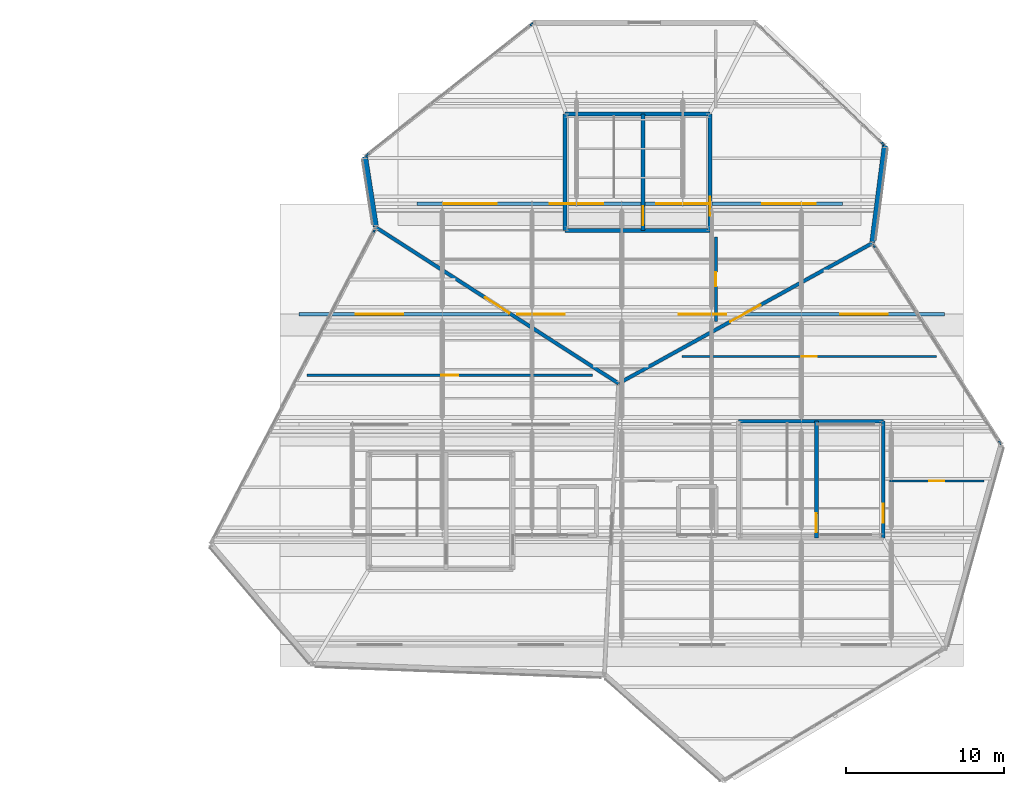
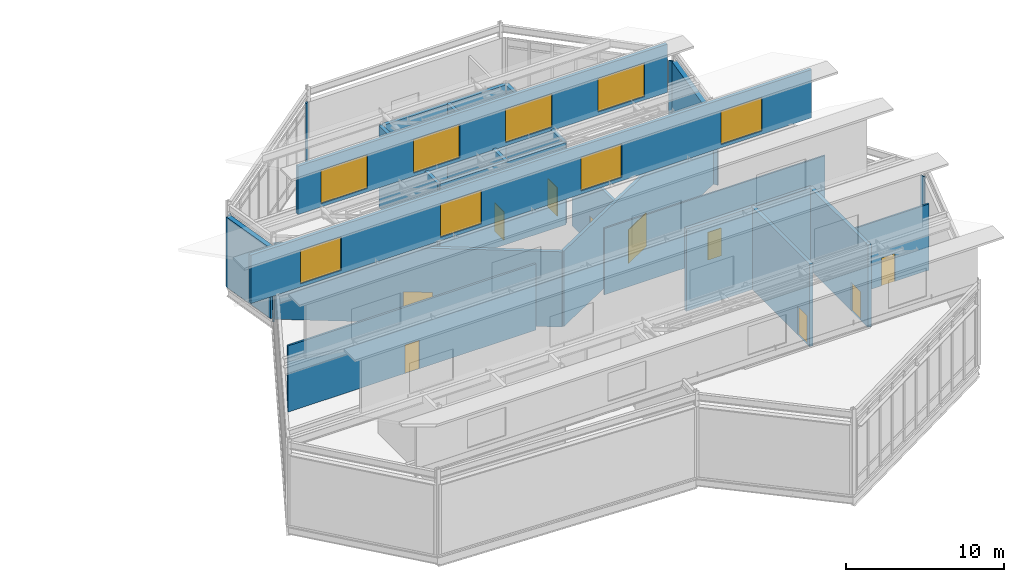
# One storey, part 53 of 55: 24 walls, 10 doors, 8 windows, 18 openings.
"""IFC4 building model written with IfcOpenShell, lengths in metres."""

from ifc_helpers import new_model, si_unit, direction, frame, frame_2d, origin, place, context, subcontext, project, spatial, rectangle, extrude, material, layer, layer_set, type_object, element, fill, save


model = new_model("IFC4")

# Units and contexts
model_context = context("Model", 3, precision=1e-05, world=origin(), true_north=direction((0.0, 1.0)))
body_context = subcontext(model_context, "Body", "Model", "MODEL_VIEW")
ifc_project = project(units=[si_unit("LENGTHUNIT", "METRE"), si_unit("AREAUNIT", "SQUARE_METRE"), si_unit("VOLUMEUNIT", "CUBIC_METRE"), si_unit("PLANEANGLEUNIT", "RADIAN"), si_unit("MASSUNIT", "GRAM", prefix="KILO")], contexts=[model_context])

# Site, building, storey
site_placement = place(None, origin())
site = spatial("IfcSite", under=ifc_project, at=site_placement, CompositionType="ELEMENT")
building_placement = place(site_placement, origin())
building = spatial("IfcBuilding", under=site, at=building_placement, Name="Tameran Prism Museum", CompositionType="ELEMENT")
storey_placement = place(building_placement, frame((0.0, 0.0, 28.800048828125)))
storey = spatial("IfcBuildingStorey", under=building, at=storey_placement, Name="L05", CompositionType="ELEMENT", Elevation=28.800048828125)

# Walls
ifc_material_1 = material(Name="Precast Concrete N40 (40 MPa)", Category="concrete")
ifc_layer_1 = layer(ifc_material_1, 0.094970703125)
ifc_layer_set_1 = layer_set([ifc_layer_1])
wall_type_1 = type_object("IfcWallType", Name="EW-CLOS-095", PredefinedType="SOLIDWALL", material=ifc_layer_set_1)
wall_1_placement = place(storey_placement, frame((103.2099609375, 98.636962890625, 0.0), z_axis=(0.0, 0.0, 1.0), x_axis=(0.464243799771, 0.885707454171, 0.0)))
element("IfcWall", 1, at=wall_1_placement, inside=storey, type_object=wall_type_1, Name="Facade Corner Closure EW-0456", PredefinedType="SOLIDWALL", context=body_context, shape_type="SweptSolid", body=[
    extrude(rectangle(XDim=0.30810546875, YDim=0.094970703125, at=frame_2d((0.154052734375, 0.0))), origin(), (0.0, 0.0, 1.0), 5.419921875),
])
for number, where, z_axis, x_axis, name in (
    (2, (134.955078125, 97.9150390625, 0.0), (0.0, 0.0, 1.0), (0.538155087301, -0.842845835258, 0.0), "Facade Corner Closure EW-0462"),
    (3, (142.910888671875, 85.4951171875, 0.0), (0.0, 0.0, 1.0), (0.538155087301, -0.842845835258, 0.0), "Facade Corner Closure EW-0463"),
):
    element("IfcWall", number, at=place(storey_placement, frame(where, z_axis=z_axis, x_axis=x_axis)), inside=storey, type_object=wall_type_1, Name=name, PredefinedType="SOLIDWALL", context=body_context, shape_type="SweptSolid", body=[
        extrude(rectangle(XDim=0.30859375, YDim=0.094970703125, at=frame_2d((0.154296875, 0.0))), origin(), (0.0, 0.0, 1.0), 5.419921875),
    ])
for number, where, z_axis, x_axis, name in (
    (4, (135.446044921875, 104.44091796875, 0.0), (0.0, 0.0, 1.0), (0.726243974232, -0.687437044311, 0.0), "Facade Corner Closure EW-0466"),
    (5, (102.73291015625, 103.52587890625, 0.0), (0.0, 0.0, 1.0), (0.782180115256, 0.623052379257, 0.0), "Facade Corner Closure EW-0468"),
):
    element("IfcWall", number, at=place(storey_placement, frame(where, z_axis=z_axis, x_axis=x_axis)), inside=storey, type_object=wall_type_1, Name=name, PredefinedType="SOLIDWALL", context=body_context, shape_type="SweptSolid", body=[
        extrude(rectangle(XDim=0.308349609375, YDim=0.094970703125, at=frame_2d((0.154296875, 0.0))), origin(), (0.0, 0.0, 1.0), 5.419921875),
    ])
wall_2_placement = place(storey_placement, frame((113.1259765625, 111.781982421875, 0.0), z_axis=(0.0, 0.0, 1.0), x_axis=(0.781872503851, 0.6234383592, 0.0)))
element("IfcWall", 6, at=wall_2_placement, inside=storey, type_object=wall_type_1, Name="Facade Corner Closure EW-0469", PredefinedType="SOLIDWALL", context=body_context, shape_type="SweptSolid", body=[
    extrude(rectangle(XDim=0.30810546875, YDim=0.094970703125, at=frame_2d((0.154052734375, 0.0))), origin(), (0.0, 0.0, 1.0), 5.419921875),
])
ifc_material_2 = material(Name="Precast Concrete N40 (40 MPa)", Category="concrete")
ifc_layer_2 = layer(ifc_material_2, 0.340087890625)
ifc_layer_set_2 = layer_set([ifc_layer_2])
wall_type_2 = type_object("IfcWallType", Name="EW-GAL-340", PredefinedType="SOLIDWALL", material=ifc_layer_set_2)
wall_3_placement = place(storey_placement, frame((135.699951171875, 104.199951171875, 0.0), z_axis=(0.0, 0.0, 1.0), x_axis=(-0.127911284164, -0.99178561362, 0.0)))
element("IfcWall", 7, at=wall_3_placement, inside=storey, type_object=wall_type_2, Name="Exterior Fluted Precast Wall EW-0464", PredefinedType="SOLIDWALL", context=body_context, shape_type="SweptSolid", body=[
    extrude(rectangle(XDim=6.191650390625, YDim=0.340087890625, at=frame_2d((3.095703125, 0.0))), origin(), (0.0, 0.0, 1.0), 5.419921875),
])
wall_4_placement = place(storey_placement, frame((103.39111328125, 99.05908203125, 0.0), z_axis=(0.0, 0.0, 1.0), x_axis=(-0.153783616147, 0.988104548823, 0.0)))
element("IfcWall", 8, at=wall_4_placement, inside=storey, type_object=wall_type_2, Name="Exterior Fluted Precast Wall EW-0470", PredefinedType="SOLIDWALL", context=body_context, shape_type="SweptSolid", body=[
    extrude(rectangle(XDim=4.494384765625, YDim=0.340087890625, at=frame_2d((2.2470703125, 0.0))), origin(), (0.0, 0.0, 1.0), 5.419921875),
])

# Wall, openings, windows
ifc_material_3 = material(Name="Insulated Aluminium Cladding Panel", Category="aluminium")
ifc_layer_3 = layer(ifc_material_3, 0.235107421875)
ifc_layer_set_3 = layer_set([ifc_layer_3])
wall_type_3 = type_object("IfcWallType", Name="EW-SAW-235", PredefinedType="SOLIDWALL", material=ifc_layer_set_3)
wall_5_placement = place(storey_placement, frame((139.5, 93.5, 6.25), z_axis=(0.0, 0.0, 1.0), x_axis=(-1.0, 0.0, 0.0)))
wall_5 = element("IfcWall", 9, at=wall_5_placement, inside=storey, type_object=wall_type_3, Name="Sawtooth Monitor Wall SMW-04", PredefinedType="SOLIDWALL", context=body_context, shape_type="SweptSolid", body=[
    extrude(rectangle(XDim=41.0, YDim=0.235107421875, at=frame_2d((20.5, 0.0))), origin(), (0.0, 0.0, 1.0), 3.72998046875),
])
opening_1_placement = place(wall_5_placement, frame((3.625, 0.0, 0.25)))
opening_1 = element("IfcOpeningElement", 10, at=opening_1_placement, cuts=wall_5, Name="Opening RL-13", PredefinedType="OPENING", context=body_context, shape_type="SweptSolid", body=[
    extrude(rectangle(XDim=3.0, YDim=2.60009765625, at=frame_2d((1.5, 1.300048828125))), frame((0.0, 0.12744140625, 0.0), z_axis=(0.0, -1.0, 0.0), x_axis=(1.0, 0.0, 0.0)), (0.0, 0.0, 1.0), 0.255126953125),
])
opening_2_placement = place(wall_5_placement, frame((13.875, 0.0, 0.25)))
opening_2 = element("IfcOpeningElement", 11, at=opening_2_placement, cuts=wall_5, Name="Opening RL-14", PredefinedType="OPENING", context=body_context, shape_type="SweptSolid", body=[
    extrude(rectangle(XDim=3.0, YDim=2.60009765625, at=frame_2d((1.5, 1.300048828125))), frame((0.0, 0.12744140625, 0.0), z_axis=(0.0, -1.0, 0.0), x_axis=(1.0, 0.0, 0.0)), (0.0, 0.0, 1.0), 0.255126953125),
])
opening_3_placement = place(wall_5_placement, frame((24.125, 0.0, 0.25)))
opening_3 = element("IfcOpeningElement", 12, at=opening_3_placement, cuts=wall_5, Name="Opening RL-15", PredefinedType="OPENING", context=body_context, shape_type="SweptSolid", body=[
    extrude(rectangle(XDim=3.0, YDim=2.60009765625, at=frame_2d((1.5, 1.300048828125))), frame((0.0, 0.12744140625, 0.0), z_axis=(0.0, -1.0, 0.0), x_axis=(1.0, 0.0, 0.0)), (0.0, 0.0, 1.0), 0.255126953125),
])
opening_4_placement = place(wall_5_placement, frame((34.375, 0.0, 0.25)))
opening_4 = element("IfcOpeningElement", 13, at=opening_4_placement, cuts=wall_5, Name="Opening RL-16", PredefinedType="OPENING", context=body_context, shape_type="SweptSolid", body=[
    extrude(rectangle(XDim=3.0, YDim=2.60009765625, at=frame_2d((1.5, 1.300048828125))), frame((0.0, 0.12744140625, 0.0), z_axis=(0.0, -1.0, 0.0), x_axis=(1.0, 0.0, 0.0)), (0.0, 0.0, 1.0), 0.255126953125),
])
ifc_material_4 = material(Name="Cyclone Laminated Low-E Glass in 6063-T6 Frame", Category="glass")
window_type_1 = type_object("IfcWindowType", Name="WIN-RL05", PartitioningType="SINGLE_PANEL", PredefinedType="SKYLIGHT", material=ifc_material_4)
window_1_placement = place(opening_1_placement, origin())
window_1 = element("IfcWindow", 14, at=window_1_placement, inside=storey, type_object=window_type_1, Name="Rooflight RL-13", OverallHeight=2.60009765625, OverallWidth=3.0, PartitioningType="SINGLE_PANEL", PredefinedType="SKYLIGHT", context=body_context, shape_type="SweptSolid", body=[
    extrude(rectangle(XDim=3.0, YDim=2.60009765625, at=frame_2d((1.5, 1.300048828125))), frame((0.0, 0.030029296875, 0.0), z_axis=(0.0, -1.0, 0.0), x_axis=(1.0, 0.0, 0.0)), (0.0, 0.0, 1.0), 0.06005859375),
])
fill(opening_1, window_1)
window_2_placement = place(opening_2_placement, origin())
window_2 = element("IfcWindow", 15, at=window_2_placement, inside=storey, type_object=window_type_1, Name="Rooflight RL-14", OverallHeight=2.60009765625, OverallWidth=3.0, PartitioningType="SINGLE_PANEL", PredefinedType="SKYLIGHT", context=body_context, shape_type="SweptSolid", body=[
    extrude(rectangle(XDim=3.0, YDim=2.60009765625, at=frame_2d((1.5, 1.300048828125))), frame((0.0, 0.030029296875, 0.0), z_axis=(0.0, -1.0, 0.0), x_axis=(1.0, 0.0, 0.0)), (0.0, 0.0, 1.0), 0.06005859375),
])
fill(opening_2, window_2)
window_3_placement = place(opening_3_placement, origin())
window_3 = element("IfcWindow", 16, at=window_3_placement, inside=storey, type_object=window_type_1, Name="Rooflight RL-15", OverallHeight=2.60009765625, OverallWidth=3.0, PartitioningType="SINGLE_PANEL", PredefinedType="SKYLIGHT", context=body_context, shape_type="SweptSolid", body=[
    extrude(rectangle(XDim=3.0, YDim=2.60009765625, at=frame_2d((1.5, 1.300048828125))), frame((0.0, 0.030029296875, 0.0), z_axis=(0.0, -1.0, 0.0), x_axis=(1.0, 0.0, 0.0)), (0.0, 0.0, 1.0), 0.06005859375),
])
fill(opening_3, window_3)
window_4_placement = place(opening_4_placement, origin())
window_4 = element("IfcWindow", 17, at=window_4_placement, inside=storey, type_object=window_type_1, Name="Rooflight RL-16", OverallHeight=2.60009765625, OverallWidth=3.0, PartitioningType="SINGLE_PANEL", PredefinedType="SKYLIGHT", context=body_context, shape_type="SweptSolid", body=[
    extrude(rectangle(XDim=3.0, YDim=2.60009765625, at=frame_2d((1.5, 1.300048828125))), frame((0.0, 0.030029296875, 0.0), z_axis=(0.0, -1.0, 0.0), x_axis=(1.0, 0.0, 0.0)), (0.0, 0.0, 1.0), 0.06005859375),
])
fill(opening_4, window_4)

wall_6_placement = place(storey_placement, frame((133.0, 100.5, 6.25), z_axis=(0.0, 0.0, 1.0), x_axis=(-1.0, 0.0, 0.0)))
wall_6 = element("IfcWall", 18, at=wall_6_placement, inside=storey, type_object=wall_type_3, Name="Sawtooth Monitor Wall SMW-05", PredefinedType="SOLIDWALL", context=body_context, shape_type="SweptSolid", body=[
    extrude(rectangle(XDim=27.0, YDim=0.235107421875, at=frame_2d((13.5, 0.0))), origin(), (0.0, 0.0, 1.0), 3.72998046875),
])
opening_5_placement = place(wall_6_placement, frame((1.675048828125, 0.0, 0.25)))
opening_5 = element("IfcOpeningElement", 19, at=opening_5_placement, cuts=wall_6, Name="Opening RL-17", PredefinedType="OPENING", context=body_context, shape_type="SweptSolid", body=[
    extrude(rectangle(XDim=3.39990234375, YDim=2.60009765625, at=frame_2d((1.699951171875, 1.300048828125))), frame((0.0, 0.12744140625, 0.0), z_axis=(0.0, -1.0, 0.0), x_axis=(1.0, 0.0, 0.0)), (0.0, 0.0, 1.0), 0.255126953125),
])
opening_6_placement = place(wall_6_placement, frame((8.425048828125, 0.0, 0.25)))
opening_6 = element("IfcOpeningElement", 20, at=opening_6_placement, cuts=wall_6, Name="Opening RL-18", PredefinedType="OPENING", context=body_context, shape_type="SweptSolid", body=[
    extrude(rectangle(XDim=3.39990234375, YDim=2.60009765625, at=frame_2d((1.699951171875, 1.300048828125))), frame((0.0, 0.12744140625, 0.0), z_axis=(0.0, -1.0, 0.0), x_axis=(1.0, 0.0, 0.0)), (0.0, 0.0, 1.0), 0.255126953125),
])
opening_7_placement = place(wall_6_placement, frame((15.175048828125, 0.0, 0.25)))
opening_7 = element("IfcOpeningElement", 21, at=opening_7_placement, cuts=wall_6, Name="Opening RL-19", PredefinedType="OPENING", context=body_context, shape_type="SweptSolid", body=[
    extrude(rectangle(XDim=3.39990234375, YDim=2.60009765625, at=frame_2d((1.699951171875, 1.300048828125))), frame((0.0, 0.12744140625, 0.0), z_axis=(0.0, -1.0, 0.0), x_axis=(1.0, 0.0, 0.0)), (0.0, 0.0, 1.0), 0.255126953125),
])
opening_8_placement = place(wall_6_placement, frame((21.925048828125, 0.0, 0.25)))
opening_8 = element("IfcOpeningElement", 22, at=opening_8_placement, cuts=wall_6, Name="Opening RL-20", PredefinedType="OPENING", context=body_context, shape_type="SweptSolid", body=[
    extrude(rectangle(XDim=3.39990234375, YDim=2.60009765625, at=frame_2d((1.699951171875, 1.300048828125))), frame((0.0, 0.12744140625, 0.0), z_axis=(0.0, -1.0, 0.0), x_axis=(1.0, 0.0, 0.0)), (0.0, 0.0, 1.0), 0.255126953125),
])
ifc_material_5 = material(Name="Cyclone Laminated Low-E Glass in 6063-T6 Frame", Category="glass")
window_type_2 = type_object("IfcWindowType", Name="WIN-RL06", PartitioningType="SINGLE_PANEL", PredefinedType="SKYLIGHT", material=ifc_material_5)
window_5_placement = place(opening_5_placement, origin())
window_5 = element("IfcWindow", 23, at=window_5_placement, inside=storey, type_object=window_type_2, Name="Rooflight RL-17", OverallHeight=2.60009765625, OverallWidth=3.39990234375, PartitioningType="SINGLE_PANEL", PredefinedType="SKYLIGHT", context=body_context, shape_type="SweptSolid", body=[
    extrude(rectangle(XDim=3.39990234375, YDim=2.60009765625, at=frame_2d((1.699951171875, 1.300048828125))), frame((0.0, 0.030029296875, 0.0), z_axis=(0.0, -1.0, 0.0), x_axis=(1.0, 0.0, 0.0)), (0.0, 0.0, 1.0), 0.06005859375),
])
fill(opening_5, window_5)
window_6_placement = place(opening_6_placement, origin())
window_6 = element("IfcWindow", 24, at=window_6_placement, inside=storey, type_object=window_type_2, Name="Rooflight RL-18", OverallHeight=2.60009765625, OverallWidth=3.39990234375, PartitioningType="SINGLE_PANEL", PredefinedType="SKYLIGHT", context=body_context, shape_type="SweptSolid", body=[
    extrude(rectangle(XDim=3.39990234375, YDim=2.60009765625, at=frame_2d((1.699951171875, 1.300048828125))), frame((0.0, 0.030029296875, 0.0), z_axis=(0.0, -1.0, 0.0), x_axis=(1.0, 0.0, 0.0)), (0.0, 0.0, 1.0), 0.06005859375),
])
fill(opening_6, window_6)
window_7_placement = place(opening_7_placement, origin())
window_7 = element("IfcWindow", 25, at=window_7_placement, inside=storey, type_object=window_type_2, Name="Rooflight RL-19", OverallHeight=2.60009765625, OverallWidth=3.39990234375, PartitioningType="SINGLE_PANEL", PredefinedType="SKYLIGHT", context=body_context, shape_type="SweptSolid", body=[
    extrude(rectangle(XDim=3.39990234375, YDim=2.60009765625, at=frame_2d((1.699951171875, 1.300048828125))), frame((0.0, 0.030029296875, 0.0), z_axis=(0.0, -1.0, 0.0), x_axis=(1.0, 0.0, 0.0)), (0.0, 0.0, 1.0), 0.06005859375),
])
fill(opening_7, window_7)
window_8_placement = place(opening_8_placement, origin())
window_8 = element("IfcWindow", 26, at=window_8_placement, inside=storey, type_object=window_type_2, Name="Rooflight RL-20", OverallHeight=2.60009765625, OverallWidth=3.39990234375, PartitioningType="SINGLE_PANEL", PredefinedType="SKYLIGHT", context=body_context, shape_type="SweptSolid", body=[
    extrude(rectangle(XDim=3.39990234375, YDim=2.60009765625, at=frame_2d((1.699951171875, 1.300048828125))), frame((0.0, 0.030029296875, 0.0), z_axis=(0.0, -1.0, 0.0), x_axis=(1.0, 0.0, 0.0)), (0.0, 0.0, 1.0), 0.06005859375),
])
fill(opening_8, window_8)

# Wall, opening, door
ifc_material_6 = material(Name="Concrete N40 (40 MPa)", Category="concrete")
ifc_layer_4 = layer(ifc_material_6, 0.22509765625)
ifc_layer_set_4 = layer_set([ifc_layer_4])
wall_type_4 = type_object("IfcWallType", Name="IW-CMP-225", PredefinedType="SOLIDWALL", material=ifc_layer_set_4)
wall_7_placement = place(storey_placement, frame((118.800048828125, 89.10009765625, 0.0), z_axis=(0.0, 0.0, 1.0), x_axis=(-0.841183241423, 0.540750177392, 0.0)))
wall_7 = element("IfcWall", 27, at=wall_7_placement, inside=storey, type_object=wall_type_4, Name="Compartment Wall IW-0162", PredefinedType="SOLIDWALL", context=body_context, shape_type="SweptSolid", body=[
    extrude(rectangle(XDim=18.3076171875, YDim=0.22509765625, at=frame_2d((9.15380859375, 0.0))), origin(), (0.0, 0.0, 1.0), 5.820068359375),
])
opening_9_placement = place(wall_7_placement, frame((8.22900390625, 0.0, 0.0)))
opening_9 = element("IfcOpeningElement", 28, at=opening_9_placement, cuts=wall_7, Name="Opening ID-0161", PredefinedType="OPENING", context=body_context, shape_type="SweptSolid", body=[
    extrude(rectangle(XDim=1.85009765625, YDim=2.39990234375, at=frame_2d((0.925048828125, 1.199951171875))), frame((0.0, 0.12255859375, 0.0), z_axis=(0.0, -1.0, 0.0), x_axis=(1.0, 0.0, 0.0)), (0.0, 0.0, 1.0), 0.2451171875),
])
ifc_material_7 = material(Name="Fire-Rated Steel Door Leaf and Frame", Category="steel")
door_type_1 = type_object("IfcDoorType", Name="DR-GAL-185", OperationType="DOUBLE_DOOR_SINGLE_SWING", PredefinedType="DOOR", material=ifc_material_7)
door_1_placement = place(opening_9_placement, origin())
door_1 = element("IfcDoor", 29, at=door_1_placement, inside=storey, type_object=door_type_1, Name="Compartment Door ID-0161", OperationType="DOUBLE_DOOR_SINGLE_SWING", OverallHeight=2.39990234375, OverallWidth=1.85009765625, PredefinedType="DOOR", context=body_context, shape_type="SweptSolid", body=[
    extrude(rectangle(XDim=1.85009765625, YDim=2.39990234375, at=frame_2d((0.925048828125, 1.199951171875))), frame((0.0, 0.02490234375, 0.0), z_axis=(0.0, -1.0, 0.0), x_axis=(1.0, 0.0, 0.0)), (0.0, 0.0, 1.0), 0.050048828125),
])
fill(opening_9, door_1)

wall_8_placement = place(storey_placement, frame((134.89990234375, 98.0, 0.0), z_axis=(0.0, 0.0, 1.0), x_axis=(-0.875181353329, -0.483794996652, 0.0)))
wall_8 = element("IfcWall", 30, at=wall_8_placement, inside=storey, type_object=wall_type_4, Name="Compartment Wall IW-0163", PredefinedType="SOLIDWALL", context=body_context, shape_type="SweptSolid", body=[
    extrude(rectangle(XDim=18.39599609375, YDim=0.22509765625, at=frame_2d((9.197998046875, 0.0))), origin(), (0.0, 0.0, 1.0), 5.820068359375),
])
opening_10_placement = place(wall_8_placement, frame((8.097900390625, 0.0, 0.0)))
opening_10 = element("IfcOpeningElement", 31, at=opening_10_placement, cuts=wall_8, Name="Opening ID-0162", PredefinedType="OPENING", context=body_context, shape_type="SweptSolid", body=[
    extrude(rectangle(XDim=2.199951171875, YDim=2.60009765625, at=frame_2d((1.10009765625, 1.300048828125))), frame((0.0, 0.12255859375, 0.0), z_axis=(0.0, -1.0, 0.0), x_axis=(1.0, 0.0, 0.0)), (0.0, 0.0, 1.0), 0.2451171875),
])
ifc_material_8 = material(Name="Fire-Rated Steel Door Leaf and Frame", Category="steel")
door_type_2 = type_object("IfcDoorType", Name="DR-GAL-220", OperationType="DOUBLE_DOOR_SINGLE_SWING", PredefinedType="DOOR", material=ifc_material_8)
door_2_placement = place(opening_10_placement, origin())
door_2 = element("IfcDoor", 32, at=door_2_placement, inside=storey, type_object=door_type_2, Name="Compartment Door ID-0162", OperationType="DOUBLE_DOOR_SINGLE_SWING", OverallHeight=2.60009765625, OverallWidth=2.199951171875, PredefinedType="DOOR", context=body_context, shape_type="SweptSolid", body=[
    extrude(rectangle(XDim=2.199951171875, YDim=2.60009765625, at=frame_2d((1.10009765625, 1.300048828125))), frame((0.0, 0.02490234375, 0.0), z_axis=(0.0, -1.0, 0.0), x_axis=(1.0, 0.0, 0.0)), (0.0, 0.0, 1.0), 0.050048828125),
])
fill(opening_10, door_2)

# Wall
ifc_material_9 = material(Name="Concrete N40 (40 MPa)", Category="concrete")
ifc_layer_5 = layer(ifc_material_9, 0.25)
ifc_layer_set_5 = layer_set([ifc_layer_5])
wall_type_5 = type_object("IfcWallType", Name="IW-COR-250", PredefinedType="SHEAR", material=ifc_layer_set_5)
wall_9_placement = place(storey_placement, frame((126.39990234375, 86.699951171875, 0.0), z_axis=(0.0, 0.0, 1.0), x_axis=(1.0, 0.0, 0.0)))
element("IfcWall", 33, at=wall_9_placement, inside=storey, type_object=wall_type_5, Name="Core Shear Wall CW-2-L05-N", PredefinedType="SHEAR", context=body_context, shape_type="SweptSolid", body=[
    extrude(rectangle(XDim=9.2001953125, YDim=0.25, at=frame_2d((4.60009765625, 0.0))), origin(), (0.0, 0.0, 1.0), 6.35986328125),
])

# Wall, opening, door
wall_10_placement = place(storey_placement, frame((135.60009765625, 86.699951171875, 0.0), z_axis=(0.0, 0.0, 1.0), x_axis=(0.0, -1.0, 0.0)))
wall_10 = element("IfcWall", 34, at=wall_10_placement, inside=storey, type_object=wall_type_5, Name="Core Shear Wall CW-2-L05-E", PredefinedType="SHEAR", context=body_context, shape_type="SweptSolid", body=[
    extrude(rectangle(XDim=7.39990234375, YDim=0.25, at=frame_2d((3.699951171875, 0.0))), origin(), (0.0, 0.0, 1.0), 6.35986328125),
])
opening_11_placement = place(wall_10_placement, frame((5.25, 0.0, 0.0)))
opening_11 = element("IfcOpeningElement", 35, at=opening_11_placement, cuts=wall_10, Name="Opening FD-0195", PredefinedType="OPENING", context=body_context, shape_type="SweptSolid", body=[
    extrude(rectangle(XDim=1.199951171875, YDim=2.199951171875, at=frame_2d((0.60009765625, 1.10009765625))), frame((0.0, 0.135009765625, 0.0), z_axis=(0.0, -1.0, 0.0), x_axis=(1.0, 0.0, 0.0)), (0.0, 0.0, 1.0), 0.27001953125),
])
ifc_material_10 = material(Name="Fire-Rated Steel Door Leaf and Frame", Category="steel")
door_type_3 = type_object("IfcDoorType", Name="DR-FD-120A", OperationType="NOTDEFINED", PredefinedType="DOOR", material=ifc_material_10)
door_3_placement = place(opening_11_placement, origin())
door_3 = element("IfcDoor", 36, at=door_3_placement, inside=storey, type_object=door_type_3, Name="Core Fire Door FD-0195", OperationType="SINGLE_SWING_LEFT", OverallHeight=2.199951171875, OverallWidth=1.199951171875, PredefinedType="DOOR", context=body_context, shape_type="SweptSolid", body=[
    extrude(rectangle(XDim=1.199951171875, YDim=2.199951171875, at=frame_2d((0.60009765625, 1.10009765625))), frame((0.0, 0.02490234375, 0.0), z_axis=(0.0, -1.0, 0.0), x_axis=(1.0, 0.0, 0.0)), (0.0, 0.0, 1.0), 0.050048828125),
])
fill(opening_11, door_3)

wall_11_placement = place(storey_placement, frame((131.35009765625, 86.699951171875, 0.0), z_axis=(0.0, 0.0, 1.0), x_axis=(0.0, -1.0, 0.0)))
wall_11 = element("IfcWall", 37, at=wall_11_placement, inside=storey, type_object=wall_type_5, Name="Core Shear Wall CW-2-L05-M", PredefinedType="SHEAR", context=body_context, shape_type="SweptSolid", body=[
    extrude(rectangle(XDim=7.39990234375, YDim=0.25, at=frame_2d((3.699951171875, 0.0))), origin(), (0.0, 0.0, 1.0), 6.35986328125),
])
opening_12_placement = place(wall_11_placement, frame((5.85009765625, 0.0, 0.0)))
opening_12 = element("IfcOpeningElement", 38, at=opening_12_placement, cuts=wall_11, Name="Opening FD-0196", PredefinedType="OPENING", context=body_context, shape_type="SweptSolid", body=[
    extrude(rectangle(XDim=1.199951171875, YDim=2.199951171875, at=frame_2d((0.60009765625, 1.10009765625))), frame((0.0, 0.135009765625, 0.0), z_axis=(0.0, -1.0, 0.0), x_axis=(1.0, 0.0, 0.0)), (0.0, 0.0, 1.0), 0.27001953125),
])
door_4_placement = place(opening_12_placement, origin())
door_4 = element("IfcDoor", 39, at=door_4_placement, inside=storey, type_object=door_type_3, Name="Core Fire Door FD-0196", OperationType="SINGLE_SWING_RIGHT", OverallHeight=2.199951171875, OverallWidth=1.199951171875, PredefinedType="DOOR", context=body_context, shape_type="SweptSolid", body=[
    extrude(rectangle(XDim=1.199951171875, YDim=2.199951171875, at=frame_2d((0.60009765625, 1.10009765625))), frame((0.0, 0.02490234375, 0.0), z_axis=(0.0, -1.0, 0.0), x_axis=(1.0, 0.0, 0.0)), (0.0, 0.0, 1.0), 0.050048828125),
])
fill(opening_12, door_4)

# Walls
wall_12_placement = place(storey_placement, frame((115.39990234375, 98.800048828125, 0.0), z_axis=(0.0, 0.0, 1.0), x_axis=(0.0, 1.0, 0.0)))
element("IfcWall", 40, at=wall_12_placement, inside=storey, type_object=wall_type_5, Name="Core Shear Wall CW-7-L05-W", PredefinedType="SHEAR", context=body_context, shape_type="SweptSolid", body=[
    extrude(rectangle(XDim=7.39990234375, YDim=0.25, at=frame_2d((3.699951171875, 0.0))), origin(), (0.0, 0.0, 1.0), 6.35986328125),
])
for number, where, z_axis, x_axis, name in (
    (41, (115.39990234375, 106.199951171875, 0.0), (0.0, 0.0, 1.0), (1.0, 0.0, 0.0), "Core Shear Wall CW-7-L05-N"),
    (42, (124.60009765625, 98.800048828125, 0.0), (0.0, 0.0, 1.0), (-1.0, 0.0, 0.0), "Core Shear Wall CW-7-L05-S"),
):
    element("IfcWall", number, at=place(storey_placement, frame(where, z_axis=z_axis, x_axis=x_axis)), inside=storey, type_object=wall_type_5, Name=name, PredefinedType="SHEAR", context=body_context, shape_type="SweptSolid", body=[
        extrude(rectangle(XDim=9.2001953125, YDim=0.25, at=frame_2d((4.60009765625, 0.0))), origin(), (0.0, 0.0, 1.0), 6.35986328125),
    ])

# Wall, opening, door
wall_13_placement = place(storey_placement, frame((124.60009765625, 106.199951171875, 0.0), z_axis=(0.0, 0.0, 1.0), x_axis=(0.0, -1.0, 0.0)))
wall_13 = element("IfcWall", 43, at=wall_13_placement, inside=storey, type_object=wall_type_5, Name="Core Shear Wall CW-7-L05-E", PredefinedType="SHEAR", context=body_context, shape_type="SweptSolid", body=[
    extrude(rectangle(XDim=7.39990234375, YDim=0.25, at=frame_2d((3.699951171875, 0.0))), origin(), (0.0, 0.0, 1.0), 6.35986328125),
])
opening_13_placement = place(wall_13_placement, frame((5.25, 0.0, 0.0)))
opening_13 = element("IfcOpeningElement", 44, at=opening_13_placement, cuts=wall_13, Name="Opening FD-0209", PredefinedType="OPENING", context=body_context, shape_type="SweptSolid", body=[
    extrude(rectangle(XDim=1.199951171875, YDim=2.199951171875, at=frame_2d((0.60009765625, 1.10009765625))), frame((0.0, 0.135009765625, 0.0), z_axis=(0.0, -1.0, 0.0), x_axis=(1.0, 0.0, 0.0)), (0.0, 0.0, 1.0), 0.27001953125),
])
door_5_placement = place(opening_13_placement, origin())
door_5 = element("IfcDoor", 45, at=door_5_placement, inside=storey, type_object=door_type_3, Name="Core Fire Door FD-0209", OperationType="SINGLE_SWING_LEFT", OverallHeight=2.199951171875, OverallWidth=1.199951171875, PredefinedType="DOOR", context=body_context, shape_type="SweptSolid", body=[
    extrude(rectangle(XDim=1.199951171875, YDim=2.199951171875, at=frame_2d((0.60009765625, 1.10009765625))), frame((0.0, 0.02490234375, 0.0), z_axis=(0.0, -1.0, 0.0), x_axis=(1.0, 0.0, 0.0)), (0.0, 0.0, 1.0), 0.050048828125),
])
fill(opening_13, door_5)

wall_14_placement = place(storey_placement, frame((120.35009765625, 106.199951171875, 0.0), z_axis=(0.0, 0.0, 1.0), x_axis=(0.0, -1.0, 0.0)))
wall_14 = element("IfcWall", 46, at=wall_14_placement, inside=storey, type_object=wall_type_5, Name="Core Shear Wall CW-7-L05-M", PredefinedType="SHEAR", context=body_context, shape_type="SweptSolid", body=[
    extrude(rectangle(XDim=7.39990234375, YDim=0.25, at=frame_2d((3.699951171875, 0.0))), origin(), (0.0, 0.0, 1.0), 6.35986328125),
])
opening_14_placement = place(wall_14_placement, frame((5.85009765625, 0.0, 0.0)))
opening_14 = element("IfcOpeningElement", 47, at=opening_14_placement, cuts=wall_14, Name="Opening FD-0210", PredefinedType="OPENING", context=body_context, shape_type="SweptSolid", body=[
    extrude(rectangle(XDim=1.199951171875, YDim=2.199951171875, at=frame_2d((0.60009765625, 1.10009765625))), frame((0.0, 0.135009765625, 0.0), z_axis=(0.0, -1.0, 0.0), x_axis=(1.0, 0.0, 0.0)), (0.0, 0.0, 1.0), 0.27001953125),
])
door_6_placement = place(opening_14_placement, origin())
door_6 = element("IfcDoor", 48, at=door_6_placement, inside=storey, type_object=door_type_3, Name="Core Fire Door FD-0210", OperationType="SINGLE_SWING_RIGHT", OverallHeight=2.199951171875, OverallWidth=1.199951171875, PredefinedType="DOOR", context=body_context, shape_type="SweptSolid", body=[
    extrude(rectangle(XDim=1.199951171875, YDim=2.199951171875, at=frame_2d((0.60009765625, 1.10009765625))), frame((0.0, 0.02490234375, 0.0), z_axis=(0.0, -1.0, 0.0), x_axis=(1.0, 0.0, 0.0)), (0.0, 0.0, 1.0), 0.050048828125),
])
fill(opening_14, door_6)

ifc_material_11 = material(Name="Store Lightweight Stud Partition")
ifc_layer_6 = layer(ifc_material_11, 0.110107421875)
ifc_layer_set_6 = layer_set([ifc_layer_6])
wall_type_6 = type_object("IfcWallType", Name="IW-PRT-110", PredefinedType="PARTITIONING", material=ifc_layer_set_6)
wall_15_placement = place(storey_placement, frame((122.8291015625, 90.81298828125, 0.0), z_axis=(0.0, 0.0, 1.0), x_axis=(1.0, 0.0, 0.0)))
wall_15 = element("IfcWall", 49, at=wall_15_placement, inside=storey, type_object=wall_type_6, Name="Internal Partition PT-0167", PredefinedType="PARTITIONING", context=body_context, shape_type="SweptSolid", body=[
    extrude(rectangle(XDim=16.140869140625, YDim=0.110107421875, at=frame_2d((8.0703125, 0.0))), origin(), (0.0, 0.0, 1.0), 5.119873046875),
])
opening_15_placement = place(wall_15_placement, frame((7.5810546875, 0.0, 0.0)))
opening_15 = element("IfcOpeningElement", 50, at=opening_15_placement, cuts=wall_15, Name="Opening ID-0166", PredefinedType="OPENING", context=body_context, shape_type="SweptSolid", body=[
    extrude(rectangle(XDim=0.97998046875, YDim=2.14990234375, at=frame_2d((0.489990234375, 1.074951171875))), frame((0.0, 0.06494140625, 0.0), z_axis=(0.0, -1.0, 0.0), x_axis=(1.0, 0.0, 0.0)), (0.0, 0.0, 1.0), 0.130126953125),
])
ifc_material_12 = material(Name="Acoustic Solid-Core Timber Door", Category="wood")
door_type_4 = type_object("IfcDoorType", Name="DR-INT-098", OperationType="NOTDEFINED", PredefinedType="DOOR", material=ifc_material_12)
door_7_placement = place(opening_15_placement, origin())
door_7 = element("IfcDoor", 51, at=door_7_placement, inside=storey, type_object=door_type_4, Name="Interior Room Door ID-0166", OperationType="SINGLE_SWING_RIGHT", OverallHeight=2.14990234375, OverallWidth=0.97998046875, PredefinedType="DOOR", context=body_context, shape_type="SweptSolid", body=[
    extrude(rectangle(XDim=0.97998046875, YDim=2.14990234375, at=frame_2d((0.489990234375, 1.074951171875))), frame((0.0, 0.02490234375, 0.0), z_axis=(0.0, -1.0, 0.0), x_axis=(1.0, 0.0, 0.0)), (0.0, 0.0, 1.0), 0.050048828125),
])
fill(opening_15, door_7)

ifc_material_13 = material(Name="Office Insulated Stud Partition")
ifc_layer_7 = layer(ifc_material_13, 0.1201171875)
ifc_layer_set_7 = layer_set([ifc_layer_7])
wall_type_7 = type_object("IfcWallType", Name="IW-PRT-120", PredefinedType="PARTITIONING", material=ifc_layer_set_7)
wall_16_placement = place(storey_placement, frame((136.0, 82.905029296875, 0.0), z_axis=(0.0, 0.0, 1.0), x_axis=(1.0, 0.0, 0.0)))
wall_16 = element("IfcWall", 52, at=wall_16_placement, inside=storey, type_object=wall_type_7, Name="Internal Partition PT-0166", PredefinedType="PARTITIONING", context=body_context, shape_type="SweptSolid", body=[
    extrude(rectangle(XDim=5.991943359375, YDim=0.1201171875, at=frame_2d((2.99609375, 0.0))), origin(), (0.0, 0.0, 1.0), 5.119873046875),
])
opening_16_placement = place(wall_16_placement, frame((2.506103515625, 0.0, 0.0)))
opening_16 = element("IfcOpeningElement", 53, at=opening_16_placement, cuts=wall_16, Name="Opening ID-0165", PredefinedType="OPENING", context=body_context, shape_type="SweptSolid", body=[
    extrude(rectangle(XDim=0.97998046875, YDim=2.14990234375, at=frame_2d((0.489990234375, 1.074951171875))), frame((0.0, 0.070068359375, 0.0), z_axis=(0.0, -1.0, 0.0), x_axis=(1.0, 0.0, 0.0)), (0.0, 0.0, 1.0), 0.14013671875),
])
door_8_placement = place(opening_16_placement, origin())
door_8 = element("IfcDoor", 54, at=door_8_placement, inside=storey, type_object=door_type_4, Name="Interior Room Door ID-0165", OperationType="SINGLE_SWING_LEFT", OverallHeight=2.14990234375, OverallWidth=0.97998046875, PredefinedType="DOOR", context=body_context, shape_type="SweptSolid", body=[
    extrude(rectangle(XDim=0.97998046875, YDim=2.14990234375, at=frame_2d((0.489990234375, 1.074951171875))), frame((0.0, 0.02490234375, 0.0), z_axis=(0.0, -1.0, 0.0), x_axis=(1.0, 0.0, 0.0)), (0.0, 0.0, 1.0), 0.050048828125),
])
fill(opening_16, door_8)

ifc_material_14 = material(Name="Acoustic Seminar Stud Partition")
ifc_layer_8 = layer(ifc_material_14, 0.139892578125)
ifc_layer_set_8 = layer_set([ifc_layer_8])
wall_type_8 = type_object("IfcWallType", Name="IW-PRT-140", PredefinedType="PARTITIONING", material=ifc_layer_set_8)
wall_17_placement = place(storey_placement, frame((99.009033203125, 89.623046875, 0.0), z_axis=(0.0, 0.0, 1.0), x_axis=(1.0, 0.0, 0.0)))
wall_17 = element("IfcWall", 55, at=wall_17_placement, inside=storey, type_object=wall_type_8, Name="Internal Partition PT-0164", PredefinedType="PARTITIONING", context=body_context, shape_type="SweptSolid", body=[
    extrude(rectangle(XDim=18.14501953125, YDim=0.139892578125, at=frame_2d((9.072509765625, 0.0))), origin(), (0.0, 0.0, 1.0), 5.119873046875),
])
opening_17_placement = place(wall_17_placement, frame((8.547119140625, 0.0, 0.0)))
opening_17 = element("IfcOpeningElement", 56, at=opening_17_placement, cuts=wall_17, Name="Opening ID-0163", PredefinedType="OPENING", context=body_context, shape_type="SweptSolid", body=[
    extrude(rectangle(XDim=1.050048828125, YDim=2.199951171875, at=frame_2d((0.52490234375, 1.10009765625))), frame((0.0, 0.079833984375, 0.0), z_axis=(0.0, -1.0, 0.0), x_axis=(1.0, 0.0, 0.0)), (0.0, 0.0, 1.0), 0.159912109375),
])
ifc_material_15 = material(Name="Fire-Rated Steel Door Leaf and Frame", Category="steel")
door_type_5 = type_object("IfcDoorType", Name="DR-INT-105", OperationType="NOTDEFINED", PredefinedType="DOOR", material=ifc_material_15)
door_9_placement = place(opening_17_placement, origin())
door_9 = element("IfcDoor", 57, at=door_9_placement, inside=storey, type_object=door_type_5, Name="Interior Room Door ID-0163", OperationType="SINGLE_SWING_LEFT", OverallHeight=2.199951171875, OverallWidth=1.050048828125, PredefinedType="DOOR", context=body_context, shape_type="SweptSolid", body=[
    extrude(rectangle(XDim=1.050048828125, YDim=2.199951171875, at=frame_2d((0.52490234375, 1.10009765625))), frame((0.0, 0.02490234375, 0.0), z_axis=(0.0, -1.0, 0.0), x_axis=(1.0, 0.0, 0.0)), (0.0, 0.0, 1.0), 0.050048828125),
])
fill(opening_17, door_9)

ifc_material_16 = material(Name="Acoustic Double Stud Plasterboard")
ifc_layer_9 = layer(ifc_material_16, 0.18505859375)
ifc_layer_set_9 = layer_set([ifc_layer_9])
wall_type_9 = type_object("IfcWallType", Name="IW-PRT-185", PredefinedType="PARTITIONING", material=ifc_layer_set_9)
wall_18_placement = place(storey_placement, frame((124.971923828125, 93.02587890625, 0.0), z_axis=(0.0, 0.0, 1.0), x_axis=(0.0, 1.0, 0.0)))
wall_18 = element("IfcWall", 58, at=wall_18_placement, inside=storey, type_object=wall_type_9, Name="Internal Partition PT-0168", PredefinedType="PARTITIONING", context=body_context, shape_type="SweptSolid", body=[
    extrude(rectangle(XDim=5.3740234375, YDim=0.18505859375, at=frame_2d((2.68701171875, 0.0))), origin(), (0.0, 0.0, 1.0), 5.119873046875),
])
opening_18_placement = place(wall_18_placement, frame((2.22705078125, 0.0, 0.0)))
opening_18 = element("IfcOpeningElement", 59, at=opening_18_placement, cuts=wall_18, Name="Opening ID-0167", PredefinedType="OPENING", context=body_context, shape_type="SweptSolid", body=[
    extrude(rectangle(XDim=0.919921875, YDim=2.10009765625, at=frame_2d((0.4599609375, 1.050048828125))), frame((0.0, 0.1025390625, 0.0), z_axis=(0.0, -1.0, 0.0), x_axis=(1.0, 0.0, 0.0)), (0.0, 0.0, 1.0), 0.205078125),
])
ifc_material_17 = material(Name="Acoustic Solid-Core Timber Door", Category="wood")
door_type_6 = type_object("IfcDoorType", Name="DR-INT-092", OperationType="NOTDEFINED", PredefinedType="DOOR", material=ifc_material_17)
door_10_placement = place(opening_18_placement, origin())
door_10 = element("IfcDoor", 60, at=door_10_placement, inside=storey, type_object=door_type_6, Name="Interior Room Door ID-0167", OperationType="SINGLE_SWING_LEFT", OverallHeight=2.10009765625, OverallWidth=0.919921875, PredefinedType="DOOR", context=body_context, shape_type="SweptSolid", body=[
    extrude(rectangle(XDim=0.919921875, YDim=2.10009765625, at=frame_2d((0.4599609375, 1.050048828125))), frame((0.0, 0.02490234375, 0.0), z_axis=(0.0, -1.0, 0.0), x_axis=(1.0, 0.0, 0.0)), (0.0, 0.0, 1.0), 0.050048828125),
])
fill(opening_18, door_10)

save(model, "model.ifc")
